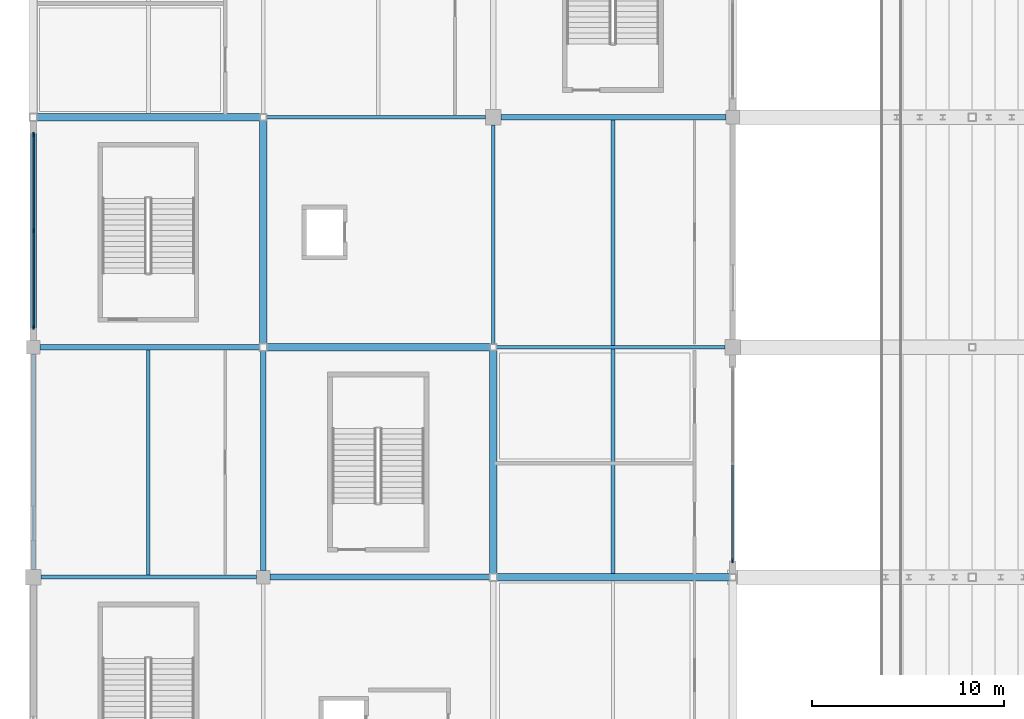
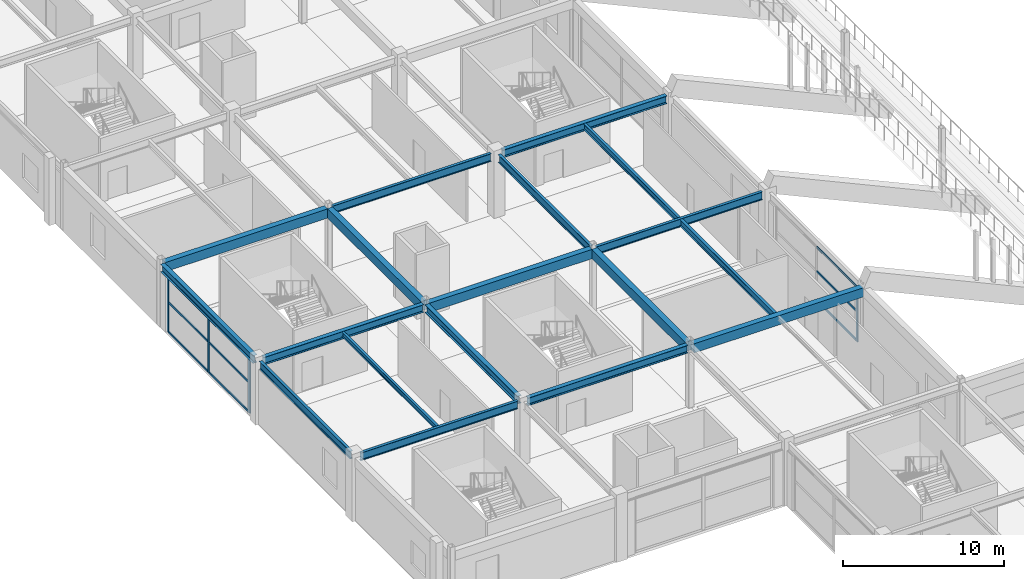
# One storey, part 29 of 128: 18 beams, 13 members, 2 elements without a shape of their own.
"""IFC4 building model written with IfcOpenShell, lengths in metres."""

from ifc_helpers import new_model, si_unit, direction, frame, origin, origin_2d, place, context, subcontext, project, spatial, rectangle, i_section, extrude, material, layer, layer_set, material_profile, profile_set, type_object, element, aggregate, save


model = new_model("IFC4")

# Units and contexts
model_context = context("Model", 3, precision=1e-05, world=origin(), true_north=direction((0.0, 1.0)))
body_context = subcontext(model_context, "Body", "Model", "MODEL_VIEW")
ifc_project = project(units=[si_unit("LENGTHUNIT", "METRE"), si_unit("AREAUNIT", "SQUARE_METRE"), si_unit("VOLUMEUNIT", "CUBIC_METRE"), si_unit("PLANEANGLEUNIT", "RADIAN"), si_unit("MASSUNIT", "GRAM", prefix="KILO")], contexts=[model_context])

# Site, building, storey
site_placement = place(None, origin())
site = spatial("IfcSite", under=ifc_project, at=site_placement, CompositionType="ELEMENT")
building_placement = place(site_placement, origin())
building = spatial("IfcBuilding", under=site, at=building_placement, Name="Kazenohara Klinker Stadium", CompositionType="ELEMENT")
storey_placement = place(building_placement, frame((0.0, 0.0, 15.300048828125)))
storey = spatial("IfcBuildingStorey", under=building, at=storey_placement, Name="L03", CompositionType="ELEMENT", Elevation=15.300048828125)

# Beams
ifc_material_1 = material(Name="Steel S355", Category="steel")
ifc_material_profile_1 = material_profile(ifc_material_1, i_section(OverallWidth=0.199951171875, OverallDepth=0.5, WebThickness=0.010009765625, FlangeThickness=0.01611328125, FilletRadius=0.012939453125, at=origin_2d()), Name="H-500x200x10x16")
ifc_profile_set_1 = profile_set([ifc_material_profile_1], Name="Steel S355")
beam_type_1 = type_object("IfcBeamType", Name="BM-JST01", PredefinedType="JOIST", material=ifc_profile_set_1)
beam_1_placement = place(storey_placement, frame((30.25, 48.199951171875, 4.510009765625), z_axis=(0.0, 1.0, 0.0), x_axis=(-1.0, 0.0, 0.0)))
element("IfcBeam", 1, at=beam_1_placement, inside=storey, type_object=beam_type_1, Name="Secondary floor joist SJ01 L03 3/E", PredefinedType="JOIST", context=body_context, shape_type="SweptSolid", body=[
    extrude(i_section(OverallWidth=0.199951171875, OverallDepth=0.5, WebThickness=0.010009765625, FlangeThickness=0.01611328125, FilletRadius=0.012939453125, at=origin_2d()), origin(), (0.0, 0.0, 1.0), 11.699951171875),
])
ifc_material_profile_2 = material_profile(ifc_material_1, i_section(OverallWidth=0.199951171875, OverallDepth=0.449951171875, WebThickness=0.009033203125, FlangeThickness=0.013916015625, FilletRadius=0.012939453125, at=origin_2d()), Name="H-450x200x9x14")
ifc_profile_set_2 = profile_set([ifc_material_profile_2], Name="Steel S355")
beam_type_2 = type_object("IfcBeamType", Name="BM-JST02", PredefinedType="JOIST", material=ifc_profile_set_2)
beam_2_placement = place(storey_placement, frame((30.25, 60.10009765625, 4.534912109375), z_axis=(0.0, 1.0, 0.0), x_axis=(-1.0, 0.0, 0.0)))
element("IfcBeam", 2, at=beam_2_placement, inside=storey, type_object=beam_type_2, Name="Secondary floor joist SJ02 L03 3/F", PredefinedType="JOIST", context=body_context, shape_type="SweptSolid", body=[
    extrude(i_section(OverallWidth=0.199951171875, OverallDepth=0.449951171875, WebThickness=0.009033203125, FlangeThickness=0.013916015625, FilletRadius=0.012939453125, at=origin_2d()), origin(), (0.0, 0.0, 1.0), 11.75),
])
ifc_material_profile_3 = material_profile(ifc_material_1, i_section(OverallWidth=0.175048828125, OverallDepth=0.35009765625, WebThickness=0.007080078125, FlangeThickness=0.010986328125, FilletRadius=0.012939453125, at=origin_2d()), Name="H-350x175x7x11")
ifc_profile_set_3 = profile_set([ifc_material_profile_3], Name="Steel S355")
beam_type_3 = type_object("IfcBeamType", Name="BM-JST04", PredefinedType="JOIST", material=ifc_profile_set_3)
beam_3_placement = place(storey_placement, frame((6.0, 48.10009765625, 4.5849609375), z_axis=(0.0, 1.0, 0.0), x_axis=(-1.0, 0.0, 0.0)))
element("IfcBeam", 3, at=beam_3_placement, inside=storey, type_object=beam_type_3, Name="Secondary floor joist SJ04 L03 1/E", PredefinedType="JOIST", context=body_context, shape_type="SweptSolid", body=[
    extrude(i_section(OverallWidth=0.175048828125, OverallDepth=0.35009765625, WebThickness=0.007080078125, FlangeThickness=0.010986328125, FilletRadius=0.012939453125, at=origin_2d()), origin(), (0.0, 0.0, 1.0), 11.75),
])
ifc_material_2 = material(Name="Concrete C40/50", Category="concrete")
ifc_material_profile_4 = material_profile(ifc_material_2, rectangle(XDim=0.39990234375, YDim=0.699951171875, at=origin_2d()), Name="RC-BM-400x700")
ifc_profile_set_4 = profile_set([ifc_material_profile_4], Name="Concrete C40/50")
beam_type_4 = type_object("IfcBeamType", Name="BM-RC04", PredefinedType="BEAM", material=ifc_profile_set_4)
for number, where, z_axis, x_axis, name in (
    (4, (0.199951171875, 72.0, 4.409912109375), (1.0, 0.0, 0.0), (0.0, 1.0, 0.0), "Primary girder BG04 L03 1-2/G"),
    (5, (12.199951171875, 60.0, 4.409912109375), (1.0, 0.0, 0.0), (0.0, 1.0, 0.0), "Primary girder BG04 L03 2-3/F"),
):
    element("IfcBeam", number, at=place(storey_placement, frame(where, z_axis=z_axis, x_axis=x_axis)), inside=storey, type_object=beam_type_4, Name=name, PredefinedType="BEAM", context=body_context, shape_type="SweptSolid", body=[
        extrude(rectangle(XDim=0.39990234375, YDim=0.699951171875, at=origin_2d()), origin(), (0.0, 0.0, 1.0), 11.625),
    ])
beam_4_placement = place(storey_placement, frame((24.199951171875, 48.0, 4.409912109375), z_axis=(1.0, 0.0, 0.0), x_axis=(0.0, 1.0, 0.0)))
element("IfcBeam", 6, at=beam_4_placement, inside=storey, type_object=beam_type_4, Name="Primary girder BG04 L03 3-4/E", PredefinedType="BEAM", context=body_context, shape_type="SweptSolid", body=[
    extrude(rectangle(XDim=0.39990234375, YDim=0.699951171875, at=origin_2d()), origin(), (0.0, 0.0, 1.0), 12.125),
])
for number, where, z_axis, x_axis, name in (
    (7, (12.0, 60.199951171875, 4.409912109375), (0.0, 1.0, 0.0), (-1.0, 0.0, 0.0), "Primary girder BG04 L03 2/F-G"),
    (8, (24.0, 48.199951171875, 4.409912109375), (0.0, 1.0, 0.0), (-1.0, 0.0, 0.0), "Primary girder BG04 L03 3/E-F"),
):
    element("IfcBeam", number, at=place(storey_placement, frame(where, z_axis=z_axis, x_axis=x_axis)), inside=storey, type_object=beam_type_4, Name=name, PredefinedType="BEAM", context=body_context, shape_type="SweptSolid", body=[
        extrude(rectangle(XDim=0.39990234375, YDim=0.699951171875, at=origin_2d()), origin(), (0.0, 0.0, 1.0), 11.625),
    ])
ifc_material_profile_5 = material_profile(ifc_material_1, i_section(OverallWidth=0.199951171875, OverallDepth=0.60009765625, WebThickness=0.010986328125, FlangeThickness=0.01708984375, FilletRadius=0.012939453125, at=origin_2d()), Name="H-600x200x11x17")
ifc_profile_set_5 = profile_set([ifc_material_profile_5], Name="Steel S355")
beam_type_5 = type_object("IfcBeamType", Name="BM-ST04", PredefinedType="BEAM", material=ifc_profile_set_5)
beam_5_placement = place(storey_placement, frame((0.39990234375, 48.0, 4.4599609375), z_axis=(1.0, 0.0, 0.0), x_axis=(0.0, 1.0, 0.0)))
element("IfcBeam", 9, at=beam_5_placement, inside=storey, type_object=beam_type_5, Name="Primary girder SB04 L03 1-2/E", PredefinedType="BEAM", context=body_context, shape_type="SweptSolid", body=[
    extrude(i_section(OverallWidth=0.199951171875, OverallDepth=0.60009765625, WebThickness=0.010986328125, FlangeThickness=0.01708984375, FilletRadius=0.012939453125, at=origin_2d()), origin(), (0.0, 0.0, 1.0), 11.25),
])
beam_6_placement = place(storey_placement, frame((12.175048828125, 72.0, 4.4599609375), z_axis=(1.0, 0.0, 0.0), x_axis=(0.0, 1.0, 0.0)))
element("IfcBeam", 10, at=beam_6_placement, inside=storey, type_object=beam_type_5, Name="Primary girder SB04 L03 2-3/G", PredefinedType="BEAM", context=body_context, shape_type="SweptSolid", body=[
    extrude(i_section(OverallWidth=0.199951171875, OverallDepth=0.60009765625, WebThickness=0.010986328125, FlangeThickness=0.01708984375, FilletRadius=0.012939453125, at=origin_2d()), origin(), (0.0, 0.0, 1.0), 11.425048828125),
])
beam_7_placement = place(storey_placement, frame((24.175048828125, 60.0, 4.4599609375), z_axis=(1.0, 0.0, 0.0), x_axis=(0.0, 1.0, 0.0)))
element("IfcBeam", 11, at=beam_7_placement, inside=storey, type_object=beam_type_5, Name="Primary girder SB04 L03 3-4/F", PredefinedType="BEAM", context=body_context, shape_type="SweptSolid", body=[
    extrude(i_section(OverallWidth=0.199951171875, OverallDepth=0.60009765625, WebThickness=0.010986328125, FlangeThickness=0.01708984375, FilletRadius=0.012939453125, at=origin_2d()), origin(), (0.0, 0.0, 1.0), 11.925048828125),
])
beam_8_placement = place(storey_placement, frame((0.0, 48.39990234375, 4.4599609375), z_axis=(0.0, 1.0, 0.0), x_axis=(-1.0, 0.0, 0.0)))
element("IfcBeam", 12, at=beam_8_placement, inside=storey, type_object=beam_type_5, Name="Primary girder SB04 L03 1/E-F", PredefinedType="BEAM", context=body_context, shape_type="SweptSolid", body=[
    extrude(i_section(OverallWidth=0.199951171875, OverallDepth=0.60009765625, WebThickness=0.010986328125, FlangeThickness=0.01708984375, FilletRadius=0.012939453125, at=origin_2d()), origin(), (0.0, 0.0, 1.0), 11.25),
])
beam_9_placement = place(storey_placement, frame((24.0, 60.175048828125, 4.4599609375), z_axis=(0.0, 1.0, 0.0), x_axis=(-1.0, 0.0, 0.0)))
element("IfcBeam", 13, at=beam_9_placement, inside=storey, type_object=beam_type_5, Name="Primary girder SB04 L03 3/F-G", PredefinedType="BEAM", context=body_context, shape_type="SweptSolid", body=[
    extrude(i_section(OverallWidth=0.199951171875, OverallDepth=0.60009765625, WebThickness=0.010986328125, FlangeThickness=0.01708984375, FilletRadius=0.012939453125, at=origin_2d()), origin(), (0.0, 0.0, 1.0), 11.425048828125),
])
ifc_material_profile_6 = material_profile(ifc_material_1, i_section(OverallWidth=0.300048828125, OverallDepth=0.587890625, WebThickness=0.011962890625, FlangeThickness=0.02001953125, FilletRadius=0.02197265625, at=origin_2d()), Name="H-588x300x12x20")
ifc_profile_set_6 = profile_set([ifc_material_profile_6], Name="Steel S355")
beam_type_6 = type_object("IfcBeamType", Name="BM-ST05", PredefinedType="BEAM", material=ifc_profile_set_6)
for number, where, z_axis, x_axis, name in (
    (14, (0.35009765625, 60.0, 4.466064453125), (1.0, 0.0, 0.0), (0.0, 1.0, 0.0), "Primary girder SB05 L03 1-2/F"),
    (15, (12.35009765625, 48.0, 4.466064453125), (1.0, 0.0, 0.0), (0.0, 1.0, 0.0), "Primary girder SB05 L03 2-3/E"),
):
    element("IfcBeam", number, at=place(storey_placement, frame(where, z_axis=z_axis, x_axis=x_axis)), inside=storey, type_object=beam_type_6, Name=name, PredefinedType="BEAM", context=body_context, shape_type="SweptSolid", body=[
        extrude(i_section(OverallWidth=0.300048828125, OverallDepth=0.587890625, WebThickness=0.011962890625, FlangeThickness=0.02001953125, FilletRadius=0.02197265625, at=origin_2d()), origin(), (0.0, 0.0, 1.0), 11.449951171875),
    ])
beam_10_placement = place(storey_placement, frame((24.39990234375, 72.0, 4.466064453125), z_axis=(1.0, 0.0, 0.0), x_axis=(0.0, 1.0, 0.0)))
element("IfcBeam", 16, at=beam_10_placement, inside=storey, type_object=beam_type_6, Name="Primary girder SB05 L03 3-4/G", PredefinedType="BEAM", context=body_context, shape_type="SweptSolid", body=[
    extrude(i_section(OverallWidth=0.300048828125, OverallDepth=0.587890625, WebThickness=0.011962890625, FlangeThickness=0.02001953125, FilletRadius=0.02197265625, at=origin_2d()), origin(), (0.0, 0.0, 1.0), 11.75),
])
for number, where, z_axis, x_axis, name in (
    (17, (0.0, 60.35009765625, 4.466064453125), (0.0, 1.0, 0.0), (-1.0, 0.0, 0.0), "Primary girder SB05 L03 1/F-G"),
    (18, (12.0, 48.35009765625, 4.466064453125), (0.0, 1.0, 0.0), (-1.0, 0.0, 0.0), "Primary girder SB05 L03 2/E-F"),
):
    element("IfcBeam", number, at=place(storey_placement, frame(where, z_axis=z_axis, x_axis=x_axis)), inside=storey, type_object=beam_type_6, Name=name, PredefinedType="BEAM", context=body_context, shape_type="SweptSolid", body=[
        extrude(i_section(OverallWidth=0.300048828125, OverallDepth=0.587890625, WebThickness=0.011962890625, FlangeThickness=0.02001953125, FilletRadius=0.02197265625, at=origin_2d()), origin(), (0.0, 0.0, 1.0), 11.449951171875),
    ])

# Curtain wall, members
ifc_material_3 = material(Name="Anodised aluminium and triple glazing", Category="aluminium")
ifc_layer_1 = layer(ifc_material_3, 0.18994140625)
ifc_layer_set_1 = layer_set([ifc_layer_1], Name="Anodised aluminium and triple glazing")
curtain_wall_type_1 = type_object("IfcCurtainWallType", Name="CW-SYS-05", PredefinedType="USERDEFINED", material=ifc_layer_set_1)
curtain_wall_1_placement = place(storey_placement, origin())
curtain_wall_1 = element("IfcCurtainWall", 19, at=curtain_wall_1_placement, inside=storey, type_object=curtain_wall_type_1, Name="Unitised facade curtain wall CW05 L03 Y0-5", ObjectType="UNITISED CURTAIN WALL", PredefinedType="USERDEFINED")
ifc_material_4 = material(Name="Anodised aluminium 6063-T6", Category="aluminium")
ifc_material_profile_7 = material_profile(ifc_material_4, rectangle(XDim=0.074951171875, YDim=0.219970703125, at=origin_2d()), Name="ALU-MUL-75x220")
ifc_profile_set_7 = profile_set([ifc_material_profile_7], Name="Anodised aluminium 6063-T6")
member_type_1 = type_object("IfcMemberType", Name="CW-MUL-220", PredefinedType="MULLION", material=ifc_profile_set_7)
member_1_placement = place(storey_placement, frame((0.0, 61.04150390625, 0.0), z_axis=(0.0, 0.0, 1.0), x_axis=(-1.0, 0.0, 0.0)))
member_1 = element("IfcMember", 20, at=member_1_placement, type_object=member_type_1, Name="CW05 mullion 1", PredefinedType="MULLION", context=body_context, shape_type="SweptSolid", body=[
    extrude(rectangle(XDim=0.074951171875, YDim=0.219970703125, at=origin_2d()), origin(), (0.0, 0.0, 1.0), 4.171875),
])
member_2_placement = place(storey_placement, frame((0.0, 66.074951171875, 0.0), z_axis=(0.0, 0.0, 1.0), x_axis=(-1.0, 0.0, 0.0)))
member_2 = element("IfcMember", 21, at=member_2_placement, type_object=member_type_1, Name="CW05 mullion 2", PredefinedType="MULLION", context=body_context, shape_type="SweptSolid", body=[
    extrude(rectangle(XDim=0.074951171875, YDim=0.219970703125, at=origin_2d()), origin(), (0.0, 0.0, 1.0), 4.171875),
])
member_3_placement = place(storey_placement, frame((0.0, 71.1083984375, 0.0), z_axis=(0.0, 0.0, 1.0), x_axis=(-1.0, 0.0, 0.0)))
member_3 = element("IfcMember", 22, at=member_3_placement, type_object=member_type_1, Name="CW05 mullion 3", PredefinedType="MULLION", context=body_context, shape_type="SweptSolid", body=[
    extrude(rectangle(XDim=0.074951171875, YDim=0.219970703125, at=origin_2d()), origin(), (0.0, 0.0, 1.0), 4.171875),
])

# Curtain wall, member
ifc_layer_2 = layer(ifc_material_3, 0.159912109375)
ifc_layer_set_2 = layer_set([ifc_layer_2], Name="Anodised aluminium and triple glazing")
curtain_wall_type_2 = type_object("IfcCurtainWallType", Name="CW-SYS-01", PredefinedType="USERDEFINED", material=ifc_layer_set_2)
curtain_wall_2_placement = place(storey_placement, origin())
curtain_wall_2 = element("IfcCurtainWall", 23, at=curtain_wall_2_placement, inside=storey, type_object=curtain_wall_type_2, Name="Unitised facade curtain wall CW01 L03 Y3-4", ObjectType="UNITISED CURTAIN WALL", PredefinedType="USERDEFINED")
member_4_placement = place(storey_placement, frame((36.5, 48.866455078125, 0.0), z_axis=(0.0, 0.0, 1.0), x_axis=(-1.0, 0.0, 0.0)))
member_4 = element("IfcMember", 24, at=member_4_placement, type_object=member_type_1, Name="CW01 mullion 1", PredefinedType="MULLION", context=body_context, shape_type="SweptSolid", body=[
    extrude(rectangle(XDim=0.074951171875, YDim=0.219970703125, at=origin_2d()), origin(), (0.0, 0.0, 1.0), 4.159912109375),
])

# Member
ifc_material_profile_8 = material_profile(ifc_material_4, rectangle(XDim=0.074951171875, YDim=0.159912109375, at=origin_2d()), Name="ALU-TRN-75x160")
ifc_profile_set_8 = profile_set([ifc_material_profile_8], Name="Anodised aluminium 6063-T6")
member_type_2 = type_object("IfcMemberType", Name="CW-TRN-160", PredefinedType="USERDEFINED", material=ifc_profile_set_8)
member_5_placement = place(storey_placement, frame((0.0, 61.0791015625, 0.037353515625), z_axis=(0.0, 1.0, 0.0), x_axis=(-1.0, 0.0, 0.0)))
member_5 = element("IfcMember", 25, at=member_5_placement, type_object=member_type_2, Name="CW05 transom 1.1", ObjectType="TRANSOM", PredefinedType="USERDEFINED", context=body_context, shape_type="SweptSolid", body=[
    extrude(rectangle(XDim=0.074951171875, YDim=0.159912109375, at=origin_2d()), origin(), (0.0, 0.0, 1.0), 4.95849609375),
])

member_6_placement = place(storey_placement, frame((0.0, 61.0791015625, 2.29443359375), z_axis=(0.0, 1.0, 0.0), x_axis=(-1.0, 0.0, 0.0)))
member_6 = element("IfcMember", 26, at=member_6_placement, type_object=member_type_2, Name="CW05 transom 1.2", ObjectType="TRANSOM", PredefinedType="USERDEFINED", context=body_context, shape_type="SweptSolid", body=[
    extrude(rectangle(XDim=0.074951171875, YDim=0.159912109375, at=origin_2d()), origin(), (0.0, 0.0, 1.0), 4.95849609375),
])

member_7_placement = place(storey_placement, frame((0.0, 61.0791015625, 4.134521484375), z_axis=(0.0, 1.0, 0.0), x_axis=(-1.0, 0.0, 0.0)))
member_7 = element("IfcMember", 27, at=member_7_placement, type_object=member_type_2, Name="CW05 transom 1.3", ObjectType="TRANSOM", PredefinedType="USERDEFINED", context=body_context, shape_type="SweptSolid", body=[
    extrude(rectangle(XDim=0.074951171875, YDim=0.159912109375, at=origin_2d()), origin(), (0.0, 0.0, 1.0), 4.95849609375),
])

member_8_placement = place(storey_placement, frame((0.0, 66.112548828125, 0.037353515625), z_axis=(0.0, 1.0, 0.0), x_axis=(-1.0, 0.0, 0.0)))
member_8 = element("IfcMember", 28, at=member_8_placement, type_object=member_type_2, Name="CW05 transom 2.1", ObjectType="TRANSOM", PredefinedType="USERDEFINED", context=body_context, shape_type="SweptSolid", body=[
    extrude(rectangle(XDim=0.074951171875, YDim=0.159912109375, at=origin_2d()), origin(), (0.0, 0.0, 1.0), 4.95849609375),
])

member_9_placement = place(storey_placement, frame((0.0, 66.112548828125, 2.29443359375), z_axis=(0.0, 1.0, 0.0), x_axis=(-1.0, 0.0, 0.0)))
member_9 = element("IfcMember", 29, at=member_9_placement, type_object=member_type_2, Name="CW05 transom 2.2", ObjectType="TRANSOM", PredefinedType="USERDEFINED", context=body_context, shape_type="SweptSolid", body=[
    extrude(rectangle(XDim=0.074951171875, YDim=0.159912109375, at=origin_2d()), origin(), (0.0, 0.0, 1.0), 4.95849609375),
])

member_10_placement = place(storey_placement, frame((0.0, 66.112548828125, 4.134521484375), z_axis=(0.0, 1.0, 0.0), x_axis=(-1.0, 0.0, 0.0)))
member_10 = element("IfcMember", 30, at=member_10_placement, type_object=member_type_2, Name="CW05 transom 2.3", ObjectType="TRANSOM", PredefinedType="USERDEFINED", context=body_context, shape_type="SweptSolid", body=[
    extrude(rectangle(XDim=0.074951171875, YDim=0.159912109375, at=origin_2d()), origin(), (0.0, 0.0, 1.0), 4.95849609375),
])

aggregate(curtain_wall_1, [member_1, member_2, member_3, member_5, member_6, member_7, member_8, member_9, member_10])

member_11_placement = place(storey_placement, frame((36.5, 48.904052734375, 0.037353515625), z_axis=(0.0, 1.0, 0.0), x_axis=(-1.0, 0.0, 0.0)))
member_11 = element("IfcMember", 31, at=member_11_placement, type_object=member_type_2, Name="CW01 transom 1.1", ObjectType="TRANSOM", PredefinedType="USERDEFINED", context=body_context, shape_type="SweptSolid", body=[
    extrude(rectangle(XDim=0.074951171875, YDim=0.159912109375, at=origin_2d()), origin(), (0.0, 0.0, 1.0), 4.946044921875),
])

member_12_placement = place(storey_placement, frame((36.5, 48.904052734375, 2.287841796875), z_axis=(0.0, 1.0, 0.0), x_axis=(-1.0, 0.0, 0.0)))
member_12 = element("IfcMember", 32, at=member_12_placement, type_object=member_type_2, Name="CW01 transom 1.2", ObjectType="TRANSOM", PredefinedType="USERDEFINED", context=body_context, shape_type="SweptSolid", body=[
    extrude(rectangle(XDim=0.074951171875, YDim=0.159912109375, at=origin_2d()), origin(), (0.0, 0.0, 1.0), 4.946044921875),
])

member_13_placement = place(storey_placement, frame((36.5, 48.904052734375, 4.12255859375), z_axis=(0.0, 1.0, 0.0), x_axis=(-1.0, 0.0, 0.0)))
member_13 = element("IfcMember", 33, at=member_13_placement, type_object=member_type_2, Name="CW01 transom 1.3", ObjectType="TRANSOM", PredefinedType="USERDEFINED", context=body_context, shape_type="SweptSolid", body=[
    extrude(rectangle(XDim=0.074951171875, YDim=0.159912109375, at=origin_2d()), origin(), (0.0, 0.0, 1.0), 4.946044921875),
])

aggregate(curtain_wall_2, [member_4, member_11, member_12, member_13])

save(model, "model.ifc")
